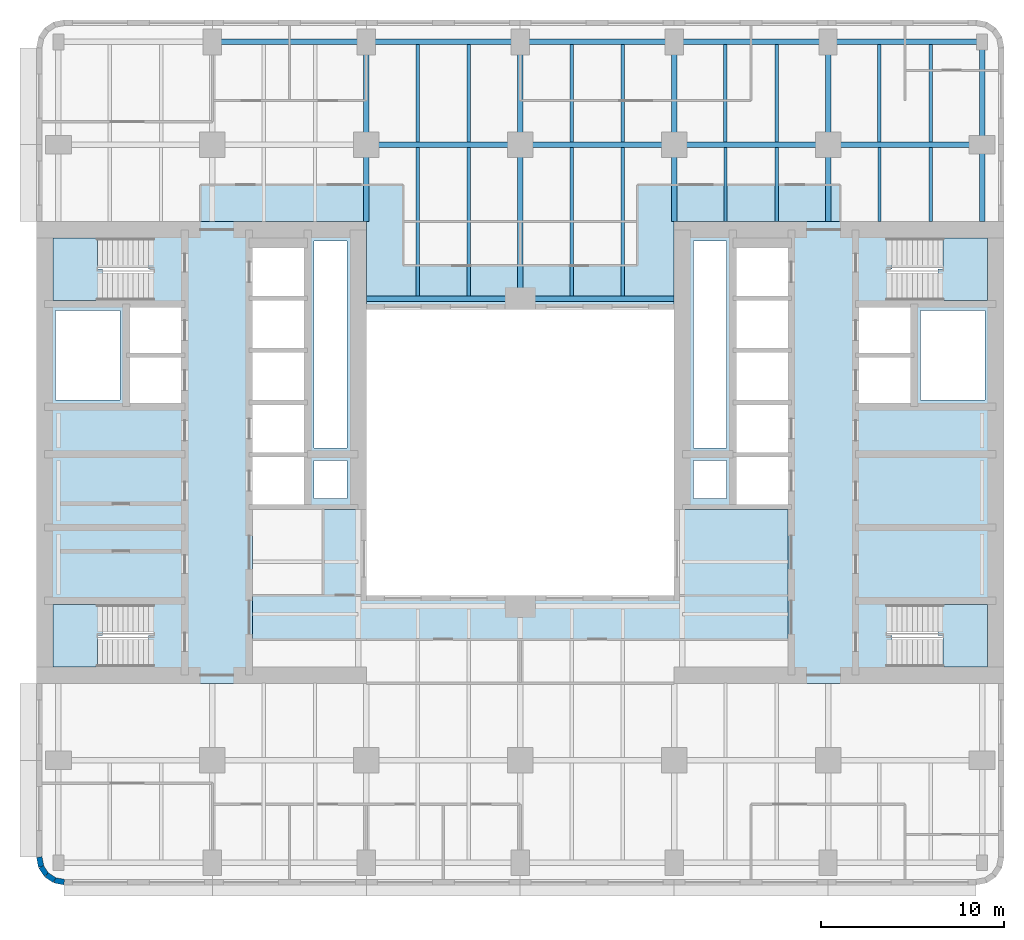
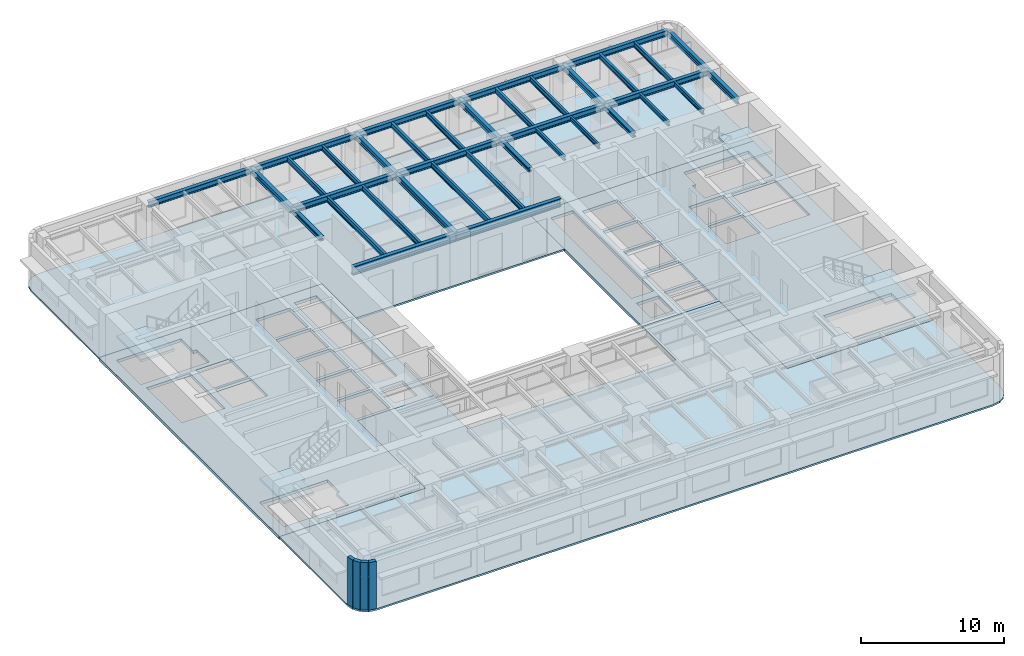
# One storey, part 2 of 11: 37 beams, 8 slabs, 4 walls, 4 elements without a shape of their own.
"""IFC4 building model written with IfcOpenShell, lengths in metres."""

from ifc_helpers import new_model, si_unit, direction, frame, frame_2d, origin, origin_2d, place, context, subcontext, project, spatial, polyline, rectangle, i_section, outline, extrude, material, layer, layer_set, material_profile, profile_set, type_object, element, aggregate, save


model = new_model("IFC4")

# Units and contexts
model_context = context("Model", 3, precision=1e-05, world=origin(), true_north=direction((0.0, 1.0)))
body_context = subcontext(model_context, "Body", "Model", "MODEL_VIEW")
ifc_project = project(units=[si_unit("LENGTHUNIT", "METRE"), si_unit("AREAUNIT", "SQUARE_METRE"), si_unit("VOLUMEUNIT", "CUBIC_METRE"), si_unit("PLANEANGLEUNIT", "RADIAN"), si_unit("MASSUNIT", "GRAM", prefix="KILO")], contexts=[model_context])

# Site, building, storey
site_placement = place(None, origin())
site = spatial("IfcSite", under=ifc_project, at=site_placement, CompositionType="ELEMENT")
building_placement = place(site_placement, origin())
building = spatial("IfcBuilding", under=site, at=building_placement, Name="Claustro Exchange Tower", CompositionType="ELEMENT")
storey_placement = place(building_placement, frame((0.0, 0.0, 121.800048828125)))
storey = spatial("IfcBuildingStorey", under=building, at=storey_placement, Name="L27", CompositionType="ELEMENT", Elevation=121.800048828125)

# Beams
ifc_material_1 = material(Name="Steel S355", Category="steel")
ifc_material_profile_1 = material_profile(ifc_material_1, i_section(OverallWidth=0.300048828125, OverallDepth=0.68994140625, WebThickness=0.014404296875, FlangeThickness=0.027099609375, FilletRadius=0.027099609375, at=origin_2d()), Name="HE 700 A")
ifc_profile_set_1 = profile_set([ifc_material_profile_1], Name="Steel S355")
beam_type_1 = type_object("IfcBeamType", Name="B13 HE 700 A light well edge girder", PredefinedType="BEAM", material=ifc_profile_set_1)
beam_1_placement = place(storey_placement, frame((16.800048828125, 33.60009765625, 3.704833984375), z_axis=(1.0, 0.0, 0.0), x_axis=(0.0, 1.0, 0.0)))
element("IfcBeam", 1, at=beam_1_placement, inside=storey, type_object=beam_type_1, Name="Beam B13 L28", PredefinedType="BEAM", context=body_context, shape_type="SweptSolid", body=[
    extrude(i_section(OverallWidth=0.300048828125, OverallDepth=0.68994140625, WebThickness=0.014404296875, FlangeThickness=0.027099609375, FilletRadius=0.027099609375, at=origin_2d()), origin(), (0.0, 0.0, 1.0), 8.39990234375),
])
beam_2_placement = place(storey_placement, frame((25.199951171875, 33.60009765625, 3.704833984375), z_axis=(1.0, 0.0, 0.0), x_axis=(0.0, 1.0, 0.0)))
element("IfcBeam", 2, at=beam_2_placement, inside=storey, type_object=beam_type_1, Name="Beam B13 L28", PredefinedType="BEAM", context=body_context, shape_type="SweptSolid", body=[
    extrude(i_section(OverallWidth=0.300048828125, OverallDepth=0.68994140625, WebThickness=0.014404296875, FlangeThickness=0.027099609375, FilletRadius=0.027099609375, at=origin_2d()), origin(), (0.0, 0.0, 1.0), 8.400146484375),
])
ifc_material_2 = material(Name="Steel S355", Category="steel")
ifc_material_profile_2 = material_profile(ifc_material_2, i_section(OverallWidth=0.169921875, OverallDepth=0.360107421875, WebThickness=0.008056640625, FlangeThickness=0.0126953125, FilletRadius=0.01806640625, at=origin_2d()), Name="IPE 360")
ifc_profile_set_2 = profile_set([ifc_material_profile_2], Name="Steel S355")
beam_type_2 = type_object("IfcBeamType", Name="B16 IPE 360 short-span beam", PredefinedType="BEAM", material=ifc_profile_set_2)
for number, where, z_axis, x_axis, name in (
    (3, (36.39990234375, 37.7900390625, 3.869873046875), (0.0, 1.0, 0.0), (-1.0, 0.0, 0.0), "Beam B16 L28"),
    (4, (39.199951171875, 37.7900390625, 3.869873046875), (0.0, 1.0, 0.0), (-1.0, 0.0, 0.0), "Beam B16 L28"),
    (5, (44.800048828125, 37.7900390625, 3.869873046875), (0.0, 1.0, 0.0), (-1.0, 0.0, 0.0), "Beam B16 L28"),
    (6, (47.60009765625, 37.7900390625, 3.869873046875), (0.0, 1.0, 0.0), (-1.0, 0.0, 0.0), "Beam B16 L28"),
):
    element("IfcBeam", number, at=place(storey_placement, frame(where, z_axis=z_axis, x_axis=x_axis)), inside=storey, type_object=beam_type_2, Name=name, PredefinedType="BEAM", context=body_context, shape_type="SweptSolid", body=[
        extrude(i_section(OverallWidth=0.169921875, OverallDepth=0.360107421875, WebThickness=0.008056640625, FlangeThickness=0.0126953125, FilletRadius=0.01806640625, at=origin_2d()), origin(), (0.0, 0.0, 1.0), 4.06005859375),
    ])
ifc_material_3 = material(Name="Steel S355", Category="steel")
ifc_material_profile_3 = material_profile(ifc_material_3, i_section(OverallWidth=0.300048828125, OverallDepth=0.360107421875, WebThickness=0.012451171875, FlangeThickness=0.0224609375, FilletRadius=0.027099609375, at=origin_2d()), Name="HE 360 B")
ifc_profile_set_3 = profile_set([ifc_material_profile_3], Name="Steel S355")
beam_type_3 = type_object("IfcBeamType", Name="B29 HE 360 B column to core link beam", PredefinedType="BEAM", material=ifc_profile_set_3)
for number, where, z_axis, x_axis, name in (
    (7, (16.800048828125, 37.800048828125, 3.869873046875), (0.0, 1.0, 0.0), (-1.0, 0.0, 0.0), "Beam B29 L28"),
    (8, (33.60009765625, 37.800048828125, 3.869873046875), (0.0, 1.0, 0.0), (-1.0, 0.0, 0.0), "Beam B29 L28"),
    (9, (42.0, 37.800048828125, 3.869873046875), (0.0, 1.0, 0.0), (-1.0, 0.0, 0.0), "Beam B29 L28"),
):
    element("IfcBeam", number, at=place(storey_placement, frame(where, z_axis=z_axis, x_axis=x_axis)), inside=storey, type_object=beam_type_3, Name=name, PredefinedType="BEAM", context=body_context, shape_type="SweptSolid", body=[
        extrude(i_section(OverallWidth=0.300048828125, OverallDepth=0.360107421875, WebThickness=0.012451171875, FlangeThickness=0.0224609375, FilletRadius=0.027099609375, at=origin_2d()), origin(), (0.0, 0.0, 1.0), 4.199951171875),
    ])
ifc_material_4 = material(Name="Steel S355", Category="steel")
ifc_material_profile_4 = material_profile(ifc_material_4, i_section(OverallWidth=0.300048828125, OverallDepth=0.5, WebThickness=0.014404296875, FlangeThickness=0.028076171875, FilletRadius=0.027099609375, at=origin_2d()), Name="HE 500 B")
ifc_profile_set_4 = profile_set([ifc_material_profile_4], Name="Steel S355")
beam_type_4 = type_object("IfcBeamType", Name="B7 HE 500 B floor girder", PredefinedType="BEAM", material=ifc_profile_set_4)
beam_3_placement = place(storey_placement, frame((16.800048828125, 42.0, 3.800048828125), z_axis=(0.0, 1.0, 0.0), x_axis=(-1.0, 0.0, 0.0)))
element("IfcBeam", 10, at=beam_3_placement, inside=storey, type_object=beam_type_4, Name="Beam B7 L28", PredefinedType="BEAM", context=body_context, shape_type="SweptSolid", body=[
    extrude(i_section(OverallWidth=0.300048828125, OverallDepth=0.5, WebThickness=0.014404296875, FlangeThickness=0.028076171875, FilletRadius=0.027099609375, at=origin_2d()), origin(), (0.0, 0.0, 1.0), 5.60009765625),
])
beam_4_placement = place(storey_placement, frame((25.199951171875, 33.60009765625, 3.800048828125), z_axis=(0.0, 1.0, 0.0), x_axis=(-1.0, 0.0, 0.0)))
element("IfcBeam", 11, at=beam_4_placement, inside=storey, type_object=beam_type_4, Name="Beam B7 L28", PredefinedType="BEAM", context=body_context, shape_type="SweptSolid", body=[
    extrude(i_section(OverallWidth=0.300048828125, OverallDepth=0.5, WebThickness=0.014404296875, FlangeThickness=0.028076171875, FilletRadius=0.027099609375, at=origin_2d()), origin(), (0.0, 0.0, 1.0), 8.39990234375),
])
for number, where, z_axis, x_axis, name in (
    (12, (25.199951171875, 42.0, 3.800048828125), (0.0, 1.0, 0.0), (-1.0, 0.0, 0.0), "Beam B7 L28"),
    (13, (33.60009765625, 42.0, 3.800048828125), (0.0, 1.0, 0.0), (-1.0, 0.0, 0.0), "Beam B7 L28"),
    (14, (42.0, 42.0, 3.800048828125), (0.0, 1.0, 0.0), (-1.0, 0.0, 0.0), "Beam B7 L28"),
):
    element("IfcBeam", number, at=place(storey_placement, frame(where, z_axis=z_axis, x_axis=x_axis)), inside=storey, type_object=beam_type_4, Name=name, PredefinedType="BEAM", context=body_context, shape_type="SweptSolid", body=[
        extrude(i_section(OverallWidth=0.300048828125, OverallDepth=0.5, WebThickness=0.014404296875, FlangeThickness=0.028076171875, FilletRadius=0.027099609375, at=origin_2d()), origin(), (0.0, 0.0, 1.0), 5.60009765625),
    ])
beam_5_placement = place(storey_placement, frame((16.800048828125, 42.0, 3.800048828125), z_axis=(1.0, 0.0, 0.0), x_axis=(0.0, 1.0, 0.0)))
element("IfcBeam", 15, at=beam_5_placement, inside=storey, type_object=beam_type_4, Name="Beam B7 L28", PredefinedType="BEAM", context=body_context, shape_type="SweptSolid", body=[
    extrude(i_section(OverallWidth=0.300048828125, OverallDepth=0.5, WebThickness=0.014404296875, FlangeThickness=0.028076171875, FilletRadius=0.027099609375, at=origin_2d()), origin(), (0.0, 0.0, 1.0), 8.39990234375),
])
beam_6_placement = place(storey_placement, frame((25.199951171875, 42.0, 3.800048828125), z_axis=(1.0, 0.0, 0.0), x_axis=(0.0, 1.0, 0.0)))
element("IfcBeam", 16, at=beam_6_placement, inside=storey, type_object=beam_type_4, Name="Beam B7 L28", PredefinedType="BEAM", context=body_context, shape_type="SweptSolid", body=[
    extrude(i_section(OverallWidth=0.300048828125, OverallDepth=0.5, WebThickness=0.014404296875, FlangeThickness=0.028076171875, FilletRadius=0.027099609375, at=origin_2d()), origin(), (0.0, 0.0, 1.0), 8.400146484375),
])
for number, where, z_axis, x_axis, name in (
    (17, (33.60009765625, 42.0, 3.800048828125), (1.0, 0.0, 0.0), (0.0, 1.0, 0.0), "Beam B7 L28"),
    (18, (42.0, 42.0, 3.800048828125), (1.0, 0.0, 0.0), (0.0, 1.0, 0.0), "Beam B7 L28"),
):
    element("IfcBeam", number, at=place(storey_placement, frame(where, z_axis=z_axis, x_axis=x_axis)), inside=storey, type_object=beam_type_4, Name=name, PredefinedType="BEAM", context=body_context, shape_type="SweptSolid", body=[
        extrude(i_section(OverallWidth=0.300048828125, OverallDepth=0.5, WebThickness=0.014404296875, FlangeThickness=0.028076171875, FilletRadius=0.027099609375, at=origin_2d()), origin(), (0.0, 0.0, 1.0), 8.39990234375),
    ])
ifc_material_5 = material(Name="Steel S355", Category="steel")
ifc_material_profile_5 = material_profile(ifc_material_5, i_section(OverallWidth=0.18994140625, OverallDepth=0.449951171875, WebThickness=0.009521484375, FlangeThickness=0.0146484375, FilletRadius=0.02099609375, at=origin_2d()), Name="IPE 450")
ifc_profile_set_5 = profile_set([ifc_material_profile_5], Name="Steel S355")
beam_type_5 = type_object("IfcBeamType", Name="B8 IPE 450 secondary beam", PredefinedType="BEAM", material=ifc_profile_set_5)
for number, where, z_axis, x_axis, name in (
    (19, (19.60009765625, 33.75, 3.824951171875), (0.0, 1.0, 0.0), (-1.0, 0.0, 0.0), "Beam B8 L28"),
    (20, (22.39990234375, 33.75, 3.824951171875), (0.0, 1.0, 0.0), (-1.0, 0.0, 0.0), "Beam B8 L28"),
):
    element("IfcBeam", number, at=place(storey_placement, frame(where, z_axis=z_axis, x_axis=x_axis)), inside=storey, type_object=beam_type_5, Name=name, PredefinedType="BEAM", context=body_context, shape_type="SweptSolid", body=[
        extrude(i_section(OverallWidth=0.18994140625, OverallDepth=0.449951171875, WebThickness=0.009521484375, FlangeThickness=0.0146484375, FilletRadius=0.02099609375, at=origin_2d()), origin(), (0.0, 0.0, 1.0), 8.10009765625),
    ])
for number, where, z_axis, x_axis, name in (
    (21, (19.60009765625, 42.14990234375, 3.824951171875), (0.0, 1.0, 0.0), (-1.0, 0.0, 0.0), "Beam B8 L28"),
    (22, (22.39990234375, 42.14990234375, 3.824951171875), (0.0, 1.0, 0.0), (-1.0, 0.0, 0.0), "Beam B8 L28"),
):
    element("IfcBeam", number, at=place(storey_placement, frame(where, z_axis=z_axis, x_axis=x_axis)), inside=storey, type_object=beam_type_5, Name=name, PredefinedType="BEAM", context=body_context, shape_type="SweptSolid", body=[
        extrude(i_section(OverallWidth=0.18994140625, OverallDepth=0.449951171875, WebThickness=0.009521484375, FlangeThickness=0.0146484375, FilletRadius=0.02099609375, at=origin_2d()), origin(), (0.0, 0.0, 1.0), 5.300048828125),
    ])
for number, where, z_axis, x_axis, name in (
    (23, (28.0, 33.75, 3.824951171875), (0.0, 1.0, 0.0), (-1.0, 0.0, 0.0), "Beam B8 L28"),
    (24, (30.800048828125, 33.75, 3.824951171875), (0.0, 1.0, 0.0), (-1.0, 0.0, 0.0), "Beam B8 L28"),
):
    element("IfcBeam", number, at=place(storey_placement, frame(where, z_axis=z_axis, x_axis=x_axis)), inside=storey, type_object=beam_type_5, Name=name, PredefinedType="BEAM", context=body_context, shape_type="SweptSolid", body=[
        extrude(i_section(OverallWidth=0.18994140625, OverallDepth=0.449951171875, WebThickness=0.009521484375, FlangeThickness=0.0146484375, FilletRadius=0.02099609375, at=origin_2d()), origin(), (0.0, 0.0, 1.0), 8.10009765625),
    ])
for number, where, z_axis, x_axis, name in (
    (25, (28.0, 42.14990234375, 3.824951171875), (0.0, 1.0, 0.0), (-1.0, 0.0, 0.0), "Beam B8 L28"),
    (26, (30.800048828125, 42.14990234375, 3.824951171875), (0.0, 1.0, 0.0), (-1.0, 0.0, 0.0), "Beam B8 L28"),
    (27, (36.39990234375, 42.14990234375, 3.824951171875), (0.0, 1.0, 0.0), (-1.0, 0.0, 0.0), "Beam B8 L28"),
    (28, (39.199951171875, 42.14990234375, 3.824951171875), (0.0, 1.0, 0.0), (-1.0, 0.0, 0.0), "Beam B8 L28"),
    (29, (44.800048828125, 42.14990234375, 3.824951171875), (0.0, 1.0, 0.0), (-1.0, 0.0, 0.0), "Beam B8 L28"),
    (30, (47.60009765625, 42.14990234375, 3.824951171875), (0.0, 1.0, 0.0), (-1.0, 0.0, 0.0), "Beam B8 L28"),
):
    element("IfcBeam", number, at=place(storey_placement, frame(where, z_axis=z_axis, x_axis=x_axis)), inside=storey, type_object=beam_type_5, Name=name, PredefinedType="BEAM", context=body_context, shape_type="SweptSolid", body=[
        extrude(i_section(OverallWidth=0.18994140625, OverallDepth=0.449951171875, WebThickness=0.009521484375, FlangeThickness=0.0146484375, FilletRadius=0.02099609375, at=origin_2d()), origin(), (0.0, 0.0, 1.0), 5.300048828125),
    ])
ifc_material_6 = material(Name="Steel S355", Category="steel")
ifc_material_profile_6 = material_profile(ifc_material_6, i_section(OverallWidth=0.300048828125, OverallDepth=0.489990234375, WebThickness=0.011962890625, FlangeThickness=0.02294921875, FilletRadius=0.027099609375, at=origin_2d()), Name="HE 500 A")
ifc_profile_set_6 = profile_set([ifc_material_profile_6], Name="Steel S355")
beam_type_6 = type_object("IfcBeamType", Name="B9 HE 500 A spandrel edge girder", PredefinedType="SPANDREL", material=ifc_profile_set_6)
beam_7_placement = place(storey_placement, frame((50.39990234375, 37.800048828125, 3.804931640625), z_axis=(0.0, 1.0, 0.0), x_axis=(-1.0, 0.0, 0.0)))
element("IfcBeam", 31, at=beam_7_placement, inside=storey, type_object=beam_type_6, Name="Beam B9 L28", PredefinedType="SPANDREL", context=body_context, shape_type="SweptSolid", body=[
    extrude(i_section(OverallWidth=0.300048828125, OverallDepth=0.489990234375, WebThickness=0.011962890625, FlangeThickness=0.02294921875, FilletRadius=0.027099609375, at=origin_2d()), origin(), (0.0, 0.0, 1.0), 4.199951171875),
])
beam_8_placement = place(storey_placement, frame((50.39990234375, 42.0, 3.804931640625), z_axis=(0.0, 1.0, 0.0), x_axis=(-1.0, 0.0, 0.0)))
element("IfcBeam", 32, at=beam_8_placement, inside=storey, type_object=beam_type_6, Name="Beam B9 L28", PredefinedType="SPANDREL", context=body_context, shape_type="SweptSolid", body=[
    extrude(i_section(OverallWidth=0.300048828125, OverallDepth=0.489990234375, WebThickness=0.011962890625, FlangeThickness=0.02294921875, FilletRadius=0.027099609375, at=origin_2d()), origin(), (0.0, 0.0, 1.0), 5.60009765625),
])
beam_9_placement = place(storey_placement, frame((8.39990234375, 47.60009765625, 3.804931640625), z_axis=(1.0, 0.0, 0.0), x_axis=(0.0, 1.0, 0.0)))
element("IfcBeam", 33, at=beam_9_placement, inside=storey, type_object=beam_type_6, Name="Beam B9 L28", PredefinedType="SPANDREL", context=body_context, shape_type="SweptSolid", body=[
    extrude(i_section(OverallWidth=0.300048828125, OverallDepth=0.489990234375, WebThickness=0.011962890625, FlangeThickness=0.02294921875, FilletRadius=0.027099609375, at=origin_2d()), origin(), (0.0, 0.0, 1.0), 8.400146484375),
])
beam_10_placement = place(storey_placement, frame((16.800048828125, 47.60009765625, 3.804931640625), z_axis=(1.0, 0.0, 0.0), x_axis=(0.0, 1.0, 0.0)))
element("IfcBeam", 34, at=beam_10_placement, inside=storey, type_object=beam_type_6, Name="Beam B9 L28", PredefinedType="SPANDREL", context=body_context, shape_type="SweptSolid", body=[
    extrude(i_section(OverallWidth=0.300048828125, OverallDepth=0.489990234375, WebThickness=0.011962890625, FlangeThickness=0.02294921875, FilletRadius=0.027099609375, at=origin_2d()), origin(), (0.0, 0.0, 1.0), 8.39990234375),
])
beam_11_placement = place(storey_placement, frame((25.199951171875, 47.60009765625, 3.804931640625), z_axis=(1.0, 0.0, 0.0), x_axis=(0.0, 1.0, 0.0)))
element("IfcBeam", 35, at=beam_11_placement, inside=storey, type_object=beam_type_6, Name="Beam B9 L28", PredefinedType="SPANDREL", context=body_context, shape_type="SweptSolid", body=[
    extrude(i_section(OverallWidth=0.300048828125, OverallDepth=0.489990234375, WebThickness=0.011962890625, FlangeThickness=0.02294921875, FilletRadius=0.027099609375, at=origin_2d()), origin(), (0.0, 0.0, 1.0), 8.400146484375),
])
for number, where, z_axis, x_axis, name in (
    (36, (33.60009765625, 47.60009765625, 3.804931640625), (1.0, 0.0, 0.0), (0.0, 1.0, 0.0), "Beam B9 L28"),
    (37, (42.0, 47.60009765625, 3.804931640625), (1.0, 0.0, 0.0), (0.0, 1.0, 0.0), "Beam B9 L28"),
):
    element("IfcBeam", number, at=place(storey_placement, frame(where, z_axis=z_axis, x_axis=x_axis)), inside=storey, type_object=beam_type_6, Name=name, PredefinedType="SPANDREL", context=body_context, shape_type="SweptSolid", body=[
        extrude(i_section(OverallWidth=0.300048828125, OverallDepth=0.489990234375, WebThickness=0.011962890625, FlangeThickness=0.02294921875, FilletRadius=0.027099609375, at=origin_2d()), origin(), (0.0, 0.0, 1.0), 8.39990234375),
    ])

# Slabs
ifc_material_7 = material(Name="Concrete HA-50 (C50/60)", Category="concrete")
ifc_layer_1 = layer(ifc_material_7, 0.14990234375)
ifc_layer_set_1 = layer_set([ifc_layer_1], Name="Concrete HA-50 (C50/60)")
slab_type_1 = type_object("IfcSlabType", Name="S2 150 composite floor slab", PredefinedType="FLOOR", material=ifc_layer_set_1)
slab_1_placement = place(storey_placement, frame((0.0, 0.0, -0.150146484375)))
element("IfcSlab", 38, at=slab_1_placement, inside=storey, type_object=slab_type_1, Name="Floor slab S2 S L27", PredefinedType="FLOOR", context=body_context, shape_type="SweptSolid", body=[
    extrude(outline(polyline([(-0.27392578125, 1.714111328125), (0.300048828125, 1.60009765625), (50.10009765625, 1.60009765625), (50.674072265625, 1.714111328125), (51.16064453125, 2.039306640625), (51.48583984375, 2.52587890625), (51.60009765625, 3.10009765625), (51.60009765625, 12.60009765625), (39.800048828125, 12.60009765625), (39.800048828125, 22.10009765625), (33.60009765625, 22.10009765625), (33.60009765625, 17.39990234375), (16.800048828125, 17.39990234375), (16.800048828125, 22.10009765625), (10.60009765625, 22.10009765625), (10.60009765625, 12.60009765625), (-1.199951171875, 12.60009765625), (-1.199951171875, 3.10009765625), (-1.085693359375, 2.52587890625), (-0.7607421875, 2.039306640625), (-0.27392578125, 1.714111328125)])), origin(), (0.0, 0.0, 1.0), 0.150146484375),
])
slab_2_placement = place(storey_placement, frame((0.0, 0.0, -0.150146484375)))
element("IfcSlab", 39, at=slab_2_placement, inside=storey, type_object=slab_type_1, Name="Floor slab S2 N L27", PredefinedType="FLOOR", context=body_context, shape_type="SweptSolid", body=[
    extrude(outline(polyline([(16.800048828125, 37.800048828125), (16.800048828125, 33.0), (33.60009765625, 33.0), (33.60009765625, 37.800048828125), (51.60009765625, 37.800048828125), (51.60009765625, 47.300048828125), (51.48583984375, 47.8740234375), (51.16064453125, 48.360595703125), (50.674072265625, 48.685791015625), (50.10009765625, 48.800048828125), (0.300048828125, 48.800048828125), (-0.27392578125, 48.685791015625), (-0.7607421875, 48.360595703125), (-1.085693359375, 47.8740234375), (-1.199951171875, 47.300048828125), (-1.199951171875, 37.800048828125), (16.800048828125, 37.800048828125)])), origin(), (0.0, 0.0, 1.0), 0.150146484375),
])
ifc_material_8 = material(Name="Concrete HA-50 (C50/60)", Category="concrete")
ifc_layer_2 = layer(ifc_material_8, 0.25)
ifc_layer_set_2 = layer_set([ifc_layer_2], Name="Concrete HA-50 (C50/60)")
slab_type_2 = type_object("IfcSlabType", Name="S7 250 core floor slab", PredefinedType="FLOOR", material=ifc_layer_set_2)
slab_3_placement = place(storey_placement, frame((0.0, 0.0, -0.25)))
element("IfcSlab", 40, at=slab_3_placement, inside=storey, type_object=slab_type_2, Name="Core floor slab S7 W core L27", PredefinedType="FLOOR", context=body_context, shape_type="SweptSolid", body=[
    extrude(outline(polyline([(-1.199951171875, 37.800048828125), (-1.199951171875, 12.60009765625), (10.60009765625, 12.60009765625), (10.60009765625, 22.10009765625), (16.800048828125, 22.10009765625), (16.800048828125, 37.800048828125), (-1.199951171875, 37.800048828125)]), holes=[polyline([(13.949951171875, 24.75), (15.75, 24.75), (15.75, 22.699951171875), (13.949951171875, 22.699951171875), (13.949951171875, 24.75)]), polyline([(13.949951171875, 36.75), (15.75, 36.75), (15.75, 25.449951171875), (13.949951171875, 25.449951171875), (13.949951171875, 36.75)]), polyline([(13.39990234375, 24.949951171875), (13.39990234375, 22.35009765625), (10.60009765625, 22.35009765625), (10.60009765625, 24.949951171875), (13.39990234375, 24.949951171875)]), polyline([(13.39990234375, 27.800048828125), (13.39990234375, 25.199951171875), (10.60009765625, 25.199951171875), (10.60009765625, 27.800048828125), (13.39990234375, 27.800048828125)]), polyline([(13.39990234375, 30.64990234375), (13.39990234375, 28.050048828125), (10.60009765625, 28.050048828125), (10.60009765625, 30.64990234375), (13.39990234375, 30.64990234375)]), polyline([(13.39990234375, 33.5), (13.39990234375, 30.89990234375), (10.60009765625, 30.89990234375), (10.60009765625, 33.5), (13.39990234375, 33.5)]), polyline([(13.39990234375, 36.35009765625), (13.39990234375, 33.75), (10.60009765625, 33.75), (10.60009765625, 36.35009765625), (13.39990234375, 36.35009765625)]), polyline([(6.699951171875, 30.375), (6.699951171875, 27.89990234375), (3.89990234375, 27.89990234375), (3.89990234375, 30.375), (6.699951171875, 30.375)]), polyline([(6.699951171875, 33.10009765625), (6.699951171875, 30.625), (3.89990234375, 30.625), (3.89990234375, 33.10009765625), (6.699951171875, 33.10009765625)]), polyline([(-0.300048828125, 15.199951171875), (-0.300048828125, 16.89990234375), (5.195068359375, 16.89990234375), (5.195068359375, 15.199951171875), (4.919921875, 15.199951171875), (4.919921875, 13.5), (-0.300048828125, 13.5), (-0.300048828125, 15.199951171875)]), polyline([(-0.300048828125, 35.199951171875), (-0.300048828125, 36.89990234375), (4.919921875, 36.89990234375), (4.919921875, 35.199951171875), (5.195068359375, 35.199951171875), (5.195068359375, 33.5), (-0.300048828125, 33.5), (-0.300048828125, 35.199951171875)]), polyline([(-0.14990234375, 32.949951171875), (3.35009765625, 32.949951171875), (3.35009765625, 28.050048828125), (-0.14990234375, 28.050048828125), (-0.14990234375, 32.949951171875)])]), origin(), (0.0, 0.0, 1.0), 0.25),
])
slab_4_placement = place(storey_placement, frame((0.0, 0.0, -0.25)))
element("IfcSlab", 41, at=slab_4_placement, inside=storey, type_object=slab_type_2, Name="Core floor slab S7 E core L27", PredefinedType="FLOOR", context=body_context, shape_type="SweptSolid", body=[
    extrude(outline(polyline([(51.60009765625, 37.800048828125), (33.60009765625, 37.800048828125), (33.60009765625, 22.10009765625), (39.800048828125, 22.10009765625), (39.800048828125, 12.60009765625), (51.60009765625, 12.60009765625), (51.60009765625, 37.800048828125)]), holes=[polyline([(45.47998046875, 15.199951171875), (45.205078125, 15.199951171875), (45.205078125, 16.89990234375), (50.699951171875, 16.89990234375), (50.699951171875, 15.199951171875), (50.699951171875, 13.5), (45.47998046875, 13.5), (45.47998046875, 15.199951171875)]), polyline([(45.47998046875, 35.199951171875), (45.47998046875, 36.89990234375), (50.699951171875, 36.89990234375), (50.699951171875, 35.199951171875), (50.699951171875, 33.5), (45.205078125, 33.5), (45.205078125, 35.199951171875), (45.47998046875, 35.199951171875)]), polyline([(50.550048828125, 32.949951171875), (50.550048828125, 28.050048828125), (47.050048828125, 28.050048828125), (47.050048828125, 32.949951171875), (50.550048828125, 32.949951171875)]), polyline([(43.699951171875, 33.10009765625), (46.5, 33.10009765625), (46.5, 30.625), (43.699951171875, 30.625), (43.699951171875, 33.10009765625)]), polyline([(46.5, 30.375), (46.5, 27.89990234375), (43.699951171875, 27.89990234375), (43.699951171875, 30.375), (46.5, 30.375)]), polyline([(37.0, 24.949951171875), (39.800048828125, 24.949951171875), (39.800048828125, 22.35009765625), (37.0, 22.35009765625), (37.0, 24.949951171875)]), polyline([(37.0, 30.64990234375), (39.800048828125, 30.64990234375), (39.800048828125, 28.050048828125), (37.0, 28.050048828125), (37.0, 30.64990234375)]), polyline([(39.800048828125, 27.800048828125), (39.800048828125, 25.199951171875), (37.0, 25.199951171875), (37.0, 27.800048828125), (39.800048828125, 27.800048828125)]), polyline([(39.800048828125, 33.5), (39.800048828125, 30.89990234375), (37.0, 30.89990234375), (37.0, 33.5), (39.800048828125, 33.5)]), polyline([(39.800048828125, 36.35009765625), (39.800048828125, 33.75), (37.0, 33.75), (37.0, 36.35009765625), (39.800048828125, 36.35009765625)]), polyline([(36.449951171875, 24.75), (36.449951171875, 22.699951171875), (34.64990234375, 22.699951171875), (34.64990234375, 24.75), (36.449951171875, 24.75)]), polyline([(36.449951171875, 36.75), (36.449951171875, 25.449951171875), (34.64990234375, 25.449951171875), (34.64990234375, 36.75), (36.449951171875, 36.75)])]), origin(), (0.0, 0.0, 1.0), 0.25),
])

# Stair, slab
ifc_material_9 = material(Name="Concrete HA-30 (C30/37), precast", Category="concrete")
stair_type = type_object("IfcStairType", Name="ST1 half-turn stair, 24 risers of 175", PredefinedType="HALF_TURN_STAIR", material=ifc_material_9)
stair_1_placement = place(storey_placement, origin())
stair_1 = element("IfcStair", 42, at=stair_1_placement, inside=storey, type_object=stair_type, Name="Stair STWA L27", PredefinedType="HALF_TURN_STAIR")
ifc_material_10 = material(Name="Concrete HA-30 (C30/37), precast", Category="concrete")
ifc_layer_3 = layer(ifc_material_10, 0.199951171875)
ifc_layer_set_3 = layer_set([ifc_layer_3], Name="Concrete HA-30 (C30/37), precast")
slab_type_3 = type_object("IfcSlabType", Name="S9 200 stair landing", PredefinedType="LANDING", material=ifc_layer_set_3)
slab_5_placement = place(storey_placement, frame((0.0, 0.0, 1.89990234375)))
slab_5 = element("IfcSlab", 43, at=slab_5_placement, type_object=slab_type_3, Name="STWA landing 1", PredefinedType="LANDING", context=body_context, shape_type="SweptSolid", body=[
    extrude(outline(polyline([(2.125, 13.5), (-0.300048828125, 13.5), (-0.300048828125, 16.89990234375), (2.1201171875, 16.89990234375), (2.125, 16.89990234375), (2.39990234375, 16.89990234375), (2.39990234375, 15.199951171875), (2.125, 15.199951171875), (2.125, 13.5)])), origin(), (0.0, 0.0, 1.0), 0.199951171875),
])
aggregate(stair_1, [slab_5])

stair_2_placement = place(storey_placement, origin())
stair_2 = element("IfcStair", 44, at=stair_2_placement, inside=storey, type_object=stair_type, Name="Stair STWB L27", PredefinedType="HALF_TURN_STAIR")
slab_6_placement = place(storey_placement, frame((0.0, 0.0, 1.89990234375)))
slab_6 = element("IfcSlab", 45, at=slab_6_placement, type_object=slab_type_3, Name="STWB landing 1", PredefinedType="LANDING", context=body_context, shape_type="SweptSolid", body=[
    extrude(outline(polyline([(2.39990234375, 35.199951171875), (2.39990234375, 33.5), (2.125, 33.5), (2.1201171875, 33.5), (-0.300048828125, 33.5), (-0.300048828125, 36.89990234375), (2.125, 36.89990234375), (2.125, 35.199951171875), (2.39990234375, 35.199951171875)])), origin(), (0.0, 0.0, 1.0), 0.199951171875),
])
aggregate(stair_2, [slab_6])

stair_3_placement = place(storey_placement, origin())
stair_3 = element("IfcStair", 46, at=stair_3_placement, inside=storey, type_object=stair_type, Name="Stair STEA L27", PredefinedType="HALF_TURN_STAIR")
slab_7_placement = place(storey_placement, frame((0.0, 0.0, 1.89990234375)))
slab_7 = element("IfcSlab", 47, at=slab_7_placement, type_object=slab_type_3, Name="STEA landing 1", PredefinedType="LANDING", context=body_context, shape_type="SweptSolid", body=[
    extrude(outline(polyline([(50.699951171875, 16.89990234375), (50.699951171875, 13.5), (48.27490234375, 13.5), (48.27490234375, 15.199951171875), (48.0, 15.199951171875), (48.0, 16.89990234375), (48.27490234375, 16.89990234375), (48.280029296875, 16.89990234375), (50.699951171875, 16.89990234375)])), origin(), (0.0, 0.0, 1.0), 0.199951171875),
])
aggregate(stair_3, [slab_7])

stair_4_placement = place(storey_placement, origin())
stair_4 = element("IfcStair", 48, at=stair_4_placement, inside=storey, type_object=stair_type, Name="Stair STEB L27", PredefinedType="HALF_TURN_STAIR")
slab_8_placement = place(storey_placement, frame((0.0, 0.0, 1.89990234375)))
slab_8 = element("IfcSlab", 49, at=slab_8_placement, type_object=slab_type_3, Name="STEB landing 1", PredefinedType="LANDING", context=body_context, shape_type="SweptSolid", body=[
    extrude(outline(polyline([(48.0, 33.5), (48.0, 35.199951171875), (48.27490234375, 35.199951171875), (48.27490234375, 36.89990234375), (50.699951171875, 36.89990234375), (50.699951171875, 33.5), (48.280029296875, 33.5), (48.27490234375, 33.5), (48.0, 33.5)])), origin(), (0.0, 0.0, 1.0), 0.199951171875),
])
aggregate(stair_4, [slab_8])

# Walls
ifc_material_11 = material(Name="Concrete HA-40 (C40/50), precast, white cement, acid-etched", Category="concrete")
ifc_layer_4 = layer(ifc_material_11, 0.300048828125)
ifc_layer_set_4 = layer_set([ifc_layer_4], Name="Concrete HA-40 (C40/50), precast, white cement, acid-etched")
wall_type = type_object("IfcWallType", Name="PC1 300 precast concrete pier panel", PredefinedType="SOLIDWALL", material=ifc_layer_set_4)
wall_1_placement = place(storey_placement, frame((0.314697265625, 1.75, 0.0), z_axis=(0.0, 0.0, 1.0), x_axis=(-0.980788534345, 0.195073962632, 0.0)))
element("IfcWall", 50, at=wall_1_placement, inside=storey, type_object=wall_type, Name="Precast pier panel PC1 L27", PredefinedType="SOLIDWALL", context=body_context, shape_type="SweptSolid", body=[
    extrude(rectangle(XDim=0.540771484375, YDim=0.300048828125, at=frame_2d((0.2705078125, 0.0))), origin(), (0.0, 0.0, 1.0), 4.050048828125),
])
for number, where, z_axis, x_axis, name in (
    (51, (-0.215576171875, 1.85546875, 0.0), (0.0, 0.0, 1.0), (-0.831478144188, 0.555557463938, 0.0), "Precast pier panel PC1 L27"),
    (52, (-0.652587890625, 2.1474609375, 0.0), (0.0, 0.0, 1.0), (-0.555557463938, 0.831478144188, 0.0), "Precast pier panel PC1 L27"),
):
    element("IfcWall", number, at=place(storey_placement, frame(where, z_axis=z_axis, x_axis=x_axis)), inside=storey, type_object=wall_type, Name=name, PredefinedType="SOLIDWALL", context=body_context, shape_type="SweptSolid", body=[
        extrude(rectangle(XDim=0.525634765625, YDim=0.300048828125, at=frame_2d((0.2626953125, 0.0))), origin(), (0.0, 0.0, 1.0), 4.050048828125),
    ])
wall_2_placement = place(storey_placement, frame((-0.944580078125, 2.58447265625, 0.0), z_axis=(0.0, 0.0, 1.0), x_axis=(-0.195073962632, 0.980788534345, 0.0)))
element("IfcWall", 53, at=wall_2_placement, inside=storey, type_object=wall_type, Name="Precast pier panel PC1 L27", PredefinedType="SOLIDWALL", context=body_context, shape_type="SweptSolid", body=[
    extrude(rectangle(XDim=0.540771484375, YDim=0.300048828125, at=frame_2d((0.2705078125, 0.0))), origin(), (0.0, 0.0, 1.0), 4.050048828125),
])

save(model, "model.ifc")
